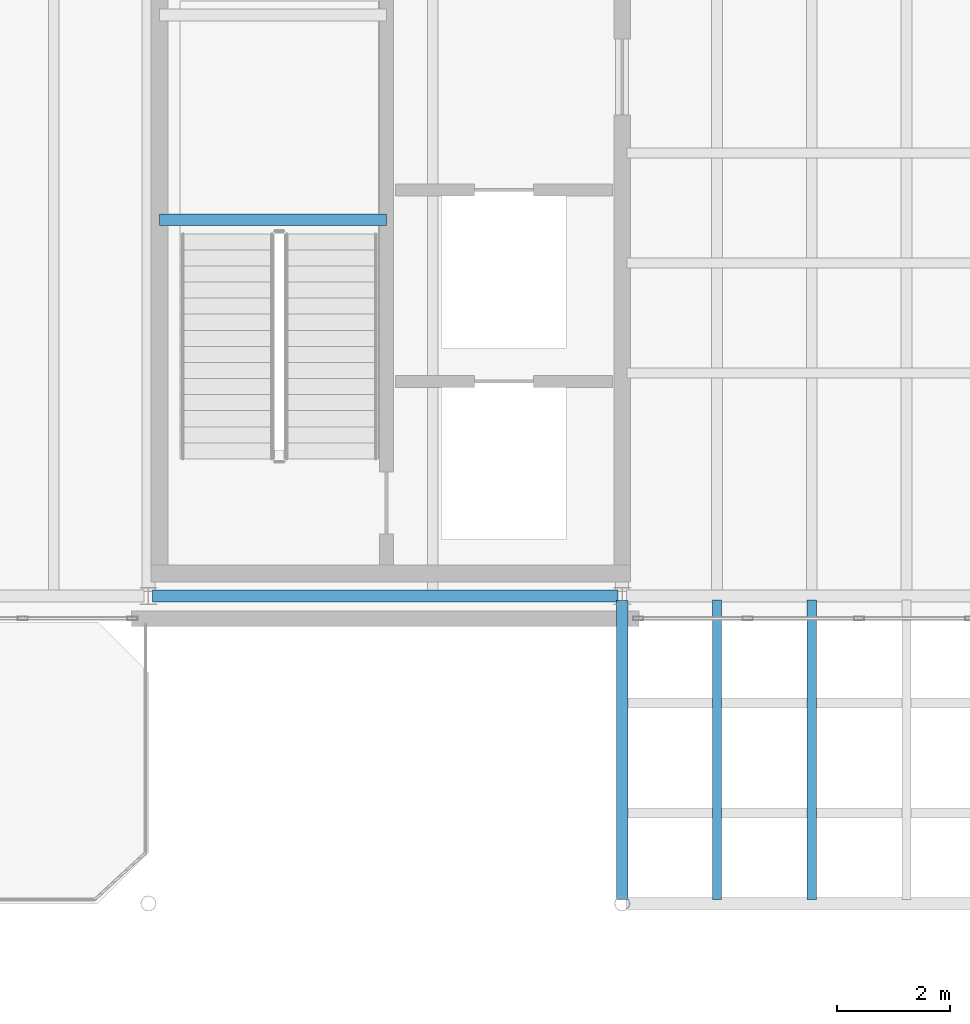
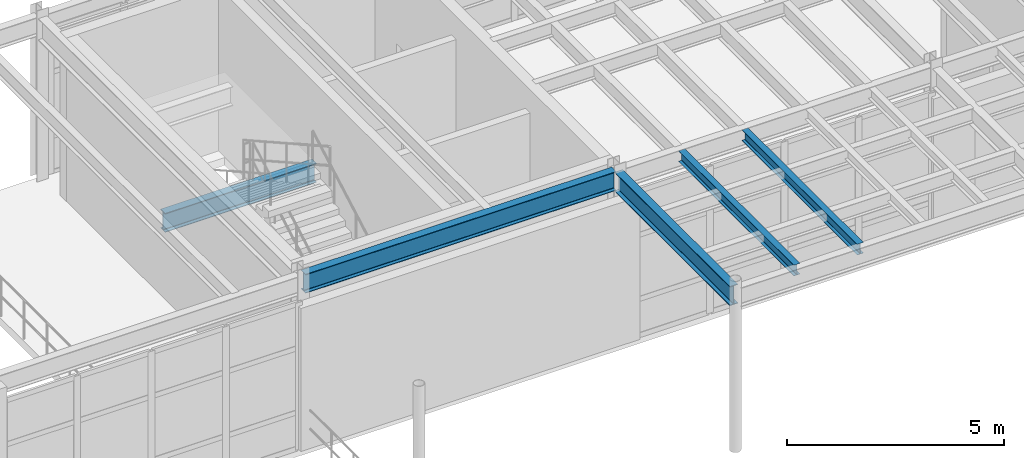
# One storey, part 40 of 116: 5 beams.
"""IFC4 building model written with IfcOpenShell, lengths in metres."""

from ifc_helpers import new_model, si_unit, direction, frame, origin, origin_2d, place, context, subcontext, project, spatial, i_section, extrude, material, material_profile, profile_set, type_object, element, save


model = new_model("IFC4")

# Units and contexts
model_context = context("Model", 3, precision=1e-05, world=origin(), true_north=direction((0.0, 1.0)))
body_context = subcontext(model_context, "Body", "Model", "MODEL_VIEW")
ifc_project = project(units=[si_unit("LENGTHUNIT", "METRE"), si_unit("AREAUNIT", "SQUARE_METRE"), si_unit("VOLUMEUNIT", "CUBIC_METRE"), si_unit("PLANEANGLEUNIT", "RADIAN"), si_unit("MASSUNIT", "GRAM", prefix="KILO")], contexts=[model_context])

# Site, building, storey
site_placement = place(None, origin())
site = spatial("IfcSite", under=ifc_project, at=site_placement, CompositionType="ELEMENT")
building_placement = place(site_placement, origin())
building = spatial("IfcBuilding", under=site, at=building_placement, Name="Selat Folded Stagehouse", CompositionType="ELEMENT")
storey_placement = place(building_placement, frame((0.0, 0.0, 5.39990234375)))
storey = spatial("IfcBuildingStorey", under=building, at=storey_placement, Name="L01", CompositionType="ELEMENT", Elevation=5.39990234375)

# Beams
ifc_material = material(Name="Steel S355", Category="steel")
ifc_material_profile_1 = material_profile(ifc_material, i_section(OverallWidth=0.210693359375, OverallDepth=0.53955078125, WebThickness=0.01171875, FlangeThickness=0.018798828125, FilletRadius=0.0126953125, at=origin_2d()), Name="UKB 533x210x109")
ifc_profile_set_1 = profile_set([ifc_material_profile_1], Name="Steel S355")
beam_type_1 = type_object("IfcBeamType", Name="BM-GIRD-533x210x109", PredefinedType="BEAM", material=ifc_profile_set_1)
beam_1_placement = place(storey_placement, frame((84.0, 0.418212890625, 4.290283203125), z_axis=(0.0, 1.0, 0.0), x_axis=(-1.0, 0.0, 0.0)))
element("IfcBeam", 1, at=beam_1_placement, inside=storey, type_object=beam_type_1, Name="L01 primary y-girder 0828", PredefinedType="BEAM", context=body_context, shape_type="SweptSolid", body=[
    extrude(i_section(OverallWidth=0.210693359375, OverallDepth=0.53955078125, WebThickness=0.01171875, FlangeThickness=0.018798828125, FilletRadius=0.0126953125, at=origin_2d()), origin(), (0.0, 0.0, 1.0), 5.3046875),
])
ifc_material_profile_2 = material_profile(ifc_material, i_section(OverallWidth=0.209228515625, OverallDepth=0.533203125, WebThickness=0.010009765625, FlangeThickness=0.015625, FilletRadius=0.0126953125, at=origin_2d()), Name="UKB 533x210x92")
ifc_profile_set_2 = profile_set([ifc_material_profile_2], Name="Steel S355")
beam_type_2 = type_object("IfcBeamType", Name="BM-GIRD-533x210x92", PredefinedType="BEAM", material=ifc_profile_set_2)
beam_2_placement = place(storey_placement, frame((75.677001953125, 5.800048828125, 4.3134765625), z_axis=(1.0, 0.0, 0.0), x_axis=(0.0, 1.0, 0.0)))
element("IfcBeam", 2, at=beam_2_placement, inside=storey, type_object=beam_type_2, Name="L01 primary x-girder 0761", PredefinedType="BEAM", context=body_context, shape_type="SweptSolid", body=[
    extrude(i_section(OverallWidth=0.209228515625, OverallDepth=0.533203125, WebThickness=0.010009765625, FlangeThickness=0.015625, FilletRadius=0.0126953125, at=origin_2d()), origin(), (0.0, 0.0, 1.0), 8.24609375),
])
beam_3_placement = place(storey_placement, frame((75.800048828125, 12.469970703125, 1.93359375), z_axis=(1.0, 0.0, 0.0), x_axis=(0.0, 1.0, 0.0)))
element("IfcBeam", 3, at=beam_3_placement, inside=storey, type_object=beam_type_2, Name="L01 ST-03 landing support beam 1", PredefinedType="BEAM", context=body_context, shape_type="SweptSolid", body=[
    extrude(i_section(OverallWidth=0.209228515625, OverallDepth=0.533203125, WebThickness=0.010009765625, FlangeThickness=0.015625, FilletRadius=0.0126953125, at=origin_2d()), origin(), (0.0, 0.0, 1.0), 4.02001953125),
])
ifc_material_profile_3 = material_profile(ifc_material, i_section(OverallWidth=0.1650390625, OverallDepth=0.303466796875, WebThickness=0.006103515625, FlangeThickness=0.01025390625, FilletRadius=0.0087890625, at=origin_2d()), Name="UKB 305x165x40")
ifc_profile_set_3 = profile_set([ifc_material_profile_3], Name="Steel S355")
beam_type_3 = type_object("IfcBeamType", Name="JST-305x165x40", PredefinedType="JOIST", material=ifc_profile_set_3)
for number, where, z_axis, x_axis, name in (
    (4, (85.679931640625, 0.42333984375, 4.408447265625), (0.0, 1.0, 0.0), (-1.0, 0.0, 0.0), "L01 secondary floor joist 0882"),
    (5, (87.360107421875, 0.42333984375, 4.408447265625), (0.0, 1.0, 0.0), (-1.0, 0.0, 0.0), "L01 secondary floor joist 0884"),
):
    element("IfcBeam", number, at=place(storey_placement, frame(where, z_axis=z_axis, x_axis=x_axis)), inside=storey, type_object=beam_type_3, Name=name, PredefinedType="JOIST", context=body_context, shape_type="SweptSolid", body=[
        extrude(i_section(OverallWidth=0.1650390625, OverallDepth=0.303466796875, WebThickness=0.006103515625, FlangeThickness=0.01025390625, FilletRadius=0.0087890625, at=origin_2d()), origin(), (0.0, 0.0, 1.0), 5.303466796875),
    ])

save(model, "model.ifc")
